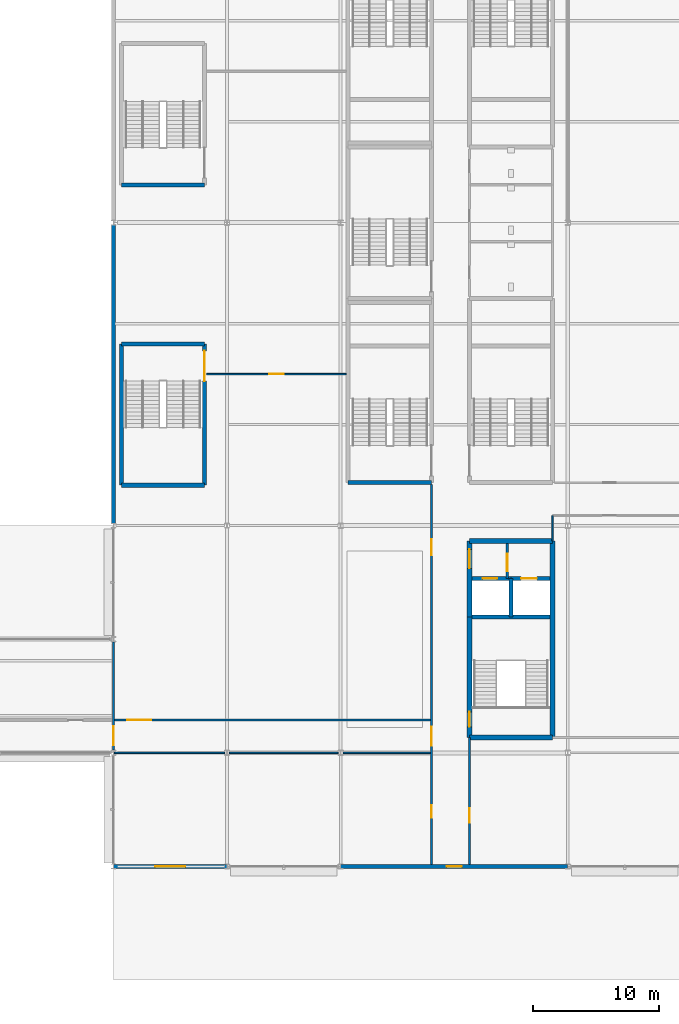
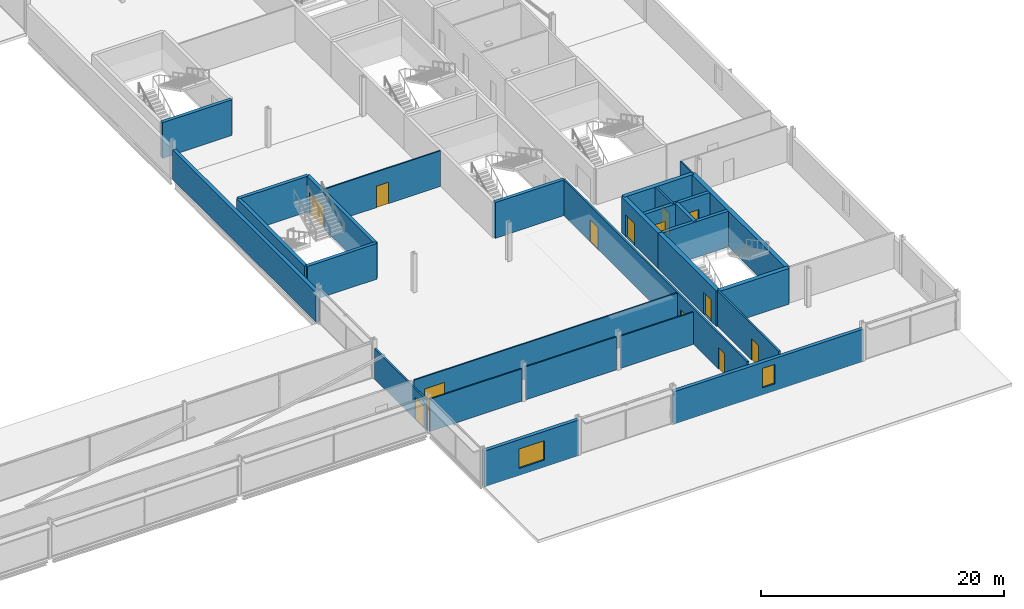
# One storey, part 68 of 105: 28 walls, 13 doors, 2 windows, 15 openings.
"""IFC4 building model written with IfcOpenShell, lengths in metres."""

import ifcopenshell
import ifcopenshell.guid

model = None  # the IFC model being written
_history = None  # IfcOwnerHistory: only IFC2X3 demands one
_inside = {}  # id of a spatial element -> (the spatial element, [elements in it])
_under = {}  # id of a project, library or spatial element -> (it, [spatial elements below it])
_declared = {}  # id of a project -> (the project, [libraries it declares])
_typed = {}  # id of a type object -> (the type object, [elements of that type])
_made_of = {}  # id of a material, layer set ... -> (it, [elements and type objects made of it])


def new_model(schema):
    """Start an empty IFC model of exactly this schema.

    Asked for "IFC4X3", IfcOpenShell would pick the latest addendum, in which some entities
    have other attributes; the version numbers below select the first issue.
    IFC2X3 requires an IfcOwnerHistory on every rooted entity: one is made here for all.
    """
    global model, _history
    if schema == "IFC4X3":
        model = ifcopenshell.file(schema_version=(4, 3, 0, 0))
    else:
        model = ifcopenshell.file(schema=schema)
    _inside.clear()
    _under.clear()
    _declared.clear()
    _typed.clear()
    _made_of.clear()
    _history = None
    if model.schema == "IFC2X3":
        org = make("IfcOrganization", Name="unknown")
        user = make(
            "IfcPersonAndOrganization",
            ThePerson=make("IfcPerson", FamilyName="unknown"),
            TheOrganization=org,
        )
        app = make(
            "IfcApplication",
            ApplicationDeveloper=org,
            Version="unknown",
            ApplicationFullName="unknown",
            ApplicationIdentifier="unknown",
        )
        _history = make(
            "IfcOwnerHistory",
            OwningUser=user,
            OwningApplication=app,
            ChangeAction="ADDED",
            CreationDate=0,
        )
    return model


def make(cls, **values):
    """One entity of the class cls with the attributes given. An attribute that is None is left unset."""
    return model.create_entity(
        cls, **{name: value for name, value in values.items() if value is not None}
    )


def rooted(cls, **values):
    """An entity with a GlobalId (a new one), such as an element, a storey or a relation."""
    return make(cls, GlobalId=ifcopenshell.guid.new(), OwnerHistory=_history, **values)


def si_unit(unit_type, name, prefix=None):
    """IfcSIUnit, for example si_unit("LENGTHUNIT", "METRE", prefix="MILLI")."""
    return make("IfcSIUnit", UnitType=unit_type, Prefix=prefix, Name=name)


def assignment(units):
    """IfcUnitAssignment: the units of a project."""
    return None if units is None else make("IfcUnitAssignment", Units=units)


def point(xyz):
    """IfcCartesianPoint."""
    return None if xyz is None else make("IfcCartesianPoint", Coordinates=xyz)


def direction(xyz):
    """IfcDirection."""
    return None if xyz is None else make("IfcDirection", DirectionRatios=xyz)


def frame(location, z_axis=None, x_axis=None):
    """IfcAxis2Placement3D, a coordinate frame: its origin and axes. An axis left out is left unset."""
    return make(
        "IfcAxis2Placement3D",
        Location=point(location),
        Axis=direction(z_axis),
        RefDirection=direction(x_axis),
    )


def frame_2d(location, x_axis=None):
    """IfcAxis2Placement2D, a coordinate frame in the plane: its origin and x axis."""
    return make(
        "IfcAxis2Placement2D", Location=point(location), RefDirection=direction(x_axis)
    )


def origin():
    """The frame at (0, 0, 0) with its axes left unset."""
    return frame((0.0, 0.0, 0.0))


def place(relative_to, where):
    """IfcLocalPlacement: puts the frame where relative to a parent placement (None: the world)."""
    return make(
        "IfcLocalPlacement", PlacementRelTo=relative_to, RelativePlacement=where
    )


def context(
    kind, dimensions, precision=None, world=None, true_north=None, identifier=None
):
    """IfcGeometricRepresentationContext, for example the 3D "Model" context."""
    return make(
        "IfcGeometricRepresentationContext",
        ContextIdentifier=identifier,
        ContextType=kind,
        CoordinateSpaceDimension=dimensions,
        Precision=precision,
        WorldCoordinateSystem=world,
        TrueNorth=true_north,
    )


def subcontext(parent, identifier, kind, view, scale=None):
    """IfcGeometricRepresentationSubContext, for example "Body" below "Model"."""
    return make(
        "IfcGeometricRepresentationSubContext",
        ContextIdentifier=identifier,
        ContextType=kind,
        ParentContext=parent,
        TargetScale=scale,
        TargetView=view,
    )


def project(units=None, contexts=None):
    """IfcProject with its units and contexts."""
    return rooted(
        "IfcProject",
        Name="project",
        RepresentationContexts=contexts,
        UnitsInContext=assignment(units),
    )


def spatial(cls, under=None, at=None, **own):
    """A site, building, storey or space (cls), placed at a placement, below another one or the project."""
    s = rooted(cls, ObjectPlacement=at, **own)
    if under is not None:
        _under.setdefault(under.id(), (under, []))[1].append(s)
    return s


def profile(cls, at=None, kind="AREA", **sizes):
    """A parametric profile (cls). Its sizes go by their IFC names, for example OverallWidth=200.0."""
    return make(cls, ProfileType=kind, Position=at, **sizes)


def rectangle(**sizes):
    """IfcRectangleProfileDef."""
    return profile("IfcRectangleProfileDef", **sizes)


def extrude(swept, where, along, depth):
    """IfcExtrudedAreaSolid: the profile swept, set in the frame where, extruded along a direction by depth."""
    return make(
        "IfcExtrudedAreaSolid",
        SweptArea=swept,
        Position=where,
        ExtrudedDirection=direction(along),
        Depth=depth,
    )


def shape(context_of_items, identifier, shape_type, items):
    """IfcShapeRepresentation: the items that make up one representation, for example the "Body"."""
    return make(
        "IfcShapeRepresentation",
        ContextOfItems=context_of_items,
        RepresentationIdentifier=identifier,
        RepresentationType=shape_type,
        Items=items,
    )


def material(Name=None, Category=None):
    """IfcMaterial."""
    return make("IfcMaterial", Name=Name, Category=Category)


def layer(
    of_material, thickness, ventilated=None, Name=None, Category=None, Priority=None
):
    """IfcMaterialLayer: one layer of a wall or slab, of a material (None: an air gap)."""
    return make(
        "IfcMaterialLayer",
        Material=of_material,
        LayerThickness=thickness,
        IsVentilated=ventilated,
        Name=Name,
        Category=Category,
        Priority=Priority,
    )


def layer_set(layers, Name=None):
    """IfcMaterialLayerSet."""
    return make("IfcMaterialLayerSet", MaterialLayers=layers, LayerSetName=Name)


def made_of(thing, what):
    """Note that an element or type object is made of a material, layer set ...; save() writes the relation."""
    if what is not None:
        _made_of.setdefault(what.id(), (what, []))[1].append(thing)
    return thing


def type_object(cls, material=None, **own):
    """A type object (cls), such as IfcWallType, which elements share."""
    return made_of(rooted(cls, **own), material)


def element(
    cls,
    number,
    at=None,
    inside=None,
    cuts=None,
    type_object=None,
    material=None,
    context=None,
    identifier="Body",
    shape_type=None,
    held_by="IfcProductDefinitionShape",
    body=None,
    shapes=None,
    **own,
):
    """One element of the class cls, such as IfcWall. Its Tag is "e" and its number.

    at: its placement. inside: the storey or other place that contains it. cuts: it is an
    opening in that element (IfcRelVoidsElement). A single representation is given by context,
    identifier, shape_type and body (its items); several are given by shapes. held_by: the class
    of the entity that holds the representations. save() writes the other relations.
    """
    e = rooted(cls, Tag="e%d" % number, ObjectPlacement=at, **own)
    if body is not None:
        shapes = [shape(context, identifier, shape_type, body)]
    if shapes is not None:
        e.Representation = make(held_by, Representations=shapes)
    if inside is not None:
        _inside.setdefault(inside.id(), (inside, []))[1].append(e)
    if cuts is not None:
        rooted(
            "IfcRelVoidsElement", RelatingBuildingElement=cuts, RelatedOpeningElement=e
        )
    if type_object is not None:
        _typed.setdefault(type_object.id(), (type_object, []))[1].append(e)
    return made_of(e, material)


def fill(opening, filler):
    """IfcRelFillsElement: the door or window that sits in an opening."""
    return rooted(
        "IfcRelFillsElement",
        RelatingOpeningElement=opening,
        RelatedBuildingElement=filler,
    )


def aggregate(whole, parts):
    """IfcRelAggregates: a whole, such as a stair, and the parts it consists of."""
    return rooted("IfcRelAggregates", RelatingObject=whole, RelatedObjects=parts)


def save(model, path):
    """Write the relations noted so far, then the file.

    IfcRelAggregates (storeys below a building ...), IfcRelContainedInSpatialStructure (elements
    in a storey), IfcRelDefinesByType, IfcRelAssociatesMaterial and IfcRelDeclares: one each for
    every whole, place, type object, material and project.
    """
    for whole, parts in _under.values():
        aggregate(whole, parts)
    for where, things in _inside.values():
        rooted(
            "IfcRelContainedInSpatialStructure",
            RelatedElements=things,
            RelatingStructure=where,
        )
    for kind, things in _typed.values():
        rooted("IfcRelDefinesByType", RelatedObjects=things, RelatingType=kind)
    for what, things in _made_of.values():
        rooted("IfcRelAssociatesMaterial", RelatedObjects=things, RelatingMaterial=what)
    for by, libraries in _declared.values():
        rooted("IfcRelDeclares", RelatingContext=by, RelatedDefinitions=libraries)
    model.write(path)


model = new_model("IFC4")

# Units and contexts
model_context = context("Model", 3, precision=1e-05, world=origin(), true_north=direction((0.0, 1.0)))
body_context = subcontext(model_context, "Body", "Model", "MODEL_VIEW")
ifc_project = project(units=[si_unit("LENGTHUNIT", "METRE"), si_unit("AREAUNIT", "SQUARE_METRE"), si_unit("VOLUMEUNIT", "CUBIC_METRE"), si_unit("PLANEANGLEUNIT", "RADIAN"), si_unit("MASSUNIT", "GRAM", prefix="KILO")], contexts=[model_context])

# Site, building, storey
site_placement = place(None, origin())
site = spatial("IfcSite", under=ifc_project, at=site_placement, CompositionType="ELEMENT")
building_placement = place(site_placement, origin())
building = spatial("IfcBuilding", under=site, at=building_placement, Name="Kisiwana Market Hall", CompositionType="ELEMENT")
storey_placement = place(building_placement, frame((0.0, 0.0, 21.60009765625)))
storey = spatial("IfcBuildingStorey", under=building, at=storey_placement, Name="L04", CompositionType="ELEMENT", Elevation=21.60009765625)

# Wall, opening, door
ifc_material_1 = material(Name="Masonry blockwork", Category="masonry")
ifc_layer_1 = layer(ifc_material_1, 0.199951171875, Name="Plastered fire compartment block wall")
ifc_layer_set_1 = layer_set([ifc_layer_1], Name="WL-COMP-200")
wall_type_1 = type_object("IfcWallType", Name="WL-COMP-200", PredefinedType="PARTITIONING", material=ifc_layer_set_1)
wall_1_placement = place(storey_placement, frame((184.199951171875, 31.820068359375, 0.0), z_axis=(0.0, 0.0, 1.0), x_axis=(0.0, 1.0, 0.0)))
wall_1 = element("IfcWall", 1, at=wall_1_placement, inside=storey, type_object=wall_type_1, Name="Core E2 firefighting lobby wall W-1640", PredefinedType="PARTITIONING", context=body_context, shape_type="SweptSolid", body=[
    extrude(rectangle(XDim=2.780029296875, YDim=0.199951171875, at=frame_2d((1.39013671875, 0.0))), origin(), (0.0, 0.0, 1.0), 3.5849609375),
])
opening_1_placement = place(wall_1_placement, frame((0.550048828125, 0.0, 0.0)))
opening_1 = element("IfcOpeningElement", 2, at=opening_1_placement, cuts=wall_1, Name="Opening DR-L04-009", PredefinedType="OPENING", context=body_context, shape_type="SweptSolid", body=[
    extrude(rectangle(XDim=1.39990234375, YDim=2.25, at=frame_2d((0.699951171875, 1.125))), frame((0.0, 0.11181640625, 0.0), z_axis=(0.0, -1.0, 0.0), x_axis=(1.0, 0.0, 0.0)), (0.0, 0.0, 1.0), 0.223876953125),
])
ifc_material_2 = material(Name="Steel S275", Category="steel")
door_type_1 = type_object("IfcDoorType", Name="DR-FFLOB-FD120-1400", OperationType="DOUBLE_DOOR_SINGLE_SWING", PredefinedType="DOOR", material=ifc_material_2)
door_1_placement = place(opening_1_placement, origin())
door_1 = element("IfcDoor", 3, at=door_1_placement, inside=storey, type_object=door_type_1, Name="Firefighting Lift Lobby E2 Door (L04)", OperationType="DOUBLE_DOOR_SINGLE_SWING", OverallHeight=2.25, OverallWidth=1.39990234375, PredefinedType="DOOR", context=body_context, shape_type="SweptSolid", body=[
    extrude(rectangle(XDim=1.39990234375, YDim=2.25, at=frame_2d((0.699951171875, 1.125))), frame((0.0, 0.02490234375, 0.0), z_axis=(0.0, -1.0, 0.0), x_axis=(1.0, 0.0, 0.0)), (0.0, 0.0, 1.0), 0.050048828125),
])
fill(opening_1, door_1)

# Walls
ifc_material_3 = material(Name="Concrete C40/50", Category="concrete")
ifc_layer_2 = layer(ifc_material_3, 0.320068359375, Name="Reinforced concrete shaft wall")
ifc_layer_set_2 = layer_set([ifc_layer_2], Name="WL-CORE-320")
wall_type_2 = type_object("IfcWallType", Name="WL-CORE-320", PredefinedType="SHEAR", material=ifc_layer_set_2)
wall_2_placement = place(storey_placement, frame((181.39990234375, 28.760009765625, 0.0), z_axis=(0.0, 0.0, 1.0), x_axis=(1.0, 0.0, 0.0)))
element("IfcWall", 4, at=wall_2_placement, inside=storey, type_object=wall_type_2, Name="Core E2 shaft back shear wall W-1537", PredefinedType="SHEAR", context=body_context, shape_type="SweptSolid", body=[
    extrude(rectangle(XDim=6.2001953125, YDim=0.320068359375, at=frame_2d((3.10009765625, 0.0))), origin(), (0.0, 0.0, 1.0), 3.5849609375),
])
wall_3_placement = place(storey_placement, frame((184.5, 28.760009765625, 0.0), z_axis=(0.0, 0.0, 1.0), x_axis=(0.0, 1.0, 0.0)))
element("IfcWall", 5, at=wall_3_placement, inside=storey, type_object=wall_type_2, Name="Core E2 inter-shaft shear wall W-1538", PredefinedType="SHEAR", context=body_context, shape_type="SweptSolid", body=[
    extrude(rectangle(XDim=3.06005859375, YDim=0.320068359375, at=frame_2d((1.530029296875, 0.0))), origin(), (0.0, 0.0, 1.0), 3.5849609375),
])

# Wall, opening, door
wall_4_placement = place(storey_placement, frame((181.39990234375, 31.820068359375, 0.0), z_axis=(0.0, 0.0, 1.0), x_axis=(1.0, 0.0, 0.0)))
wall_4 = element("IfcWall", 6, at=wall_4_placement, inside=storey, type_object=wall_type_2, Name="Core E2 west lift front wall W-1539", PredefinedType="SHEAR", context=body_context, shape_type="SweptSolid", body=[
    extrude(rectangle(XDim=3.10009765625, YDim=0.320068359375, at=frame_2d((1.550048828125, 0.0))), origin(), (0.0, 0.0, 1.0), 3.5849609375),
])
opening_2_placement = place(wall_4_placement, frame((0.85009765625, 0.0, 0.0)))
opening_2 = element("IfcOpeningElement", 7, at=opening_2_placement, cuts=wall_4, Name="Opening LD-L04-005", PredefinedType="OPENING", context=body_context, shape_type="SweptSolid", body=[
    extrude(rectangle(XDim=1.14990234375, YDim=2.199951171875, at=frame_2d((0.574951171875, 1.10009765625))), frame((0.0, 0.171875, 0.0), z_axis=(0.0, -1.0, 0.0), x_axis=(1.0, 0.0, 0.0)), (0.0, 0.0, 1.0), 0.343994140625),
])
ifc_material_4 = material(Name="Steel S275", Category="steel")
door_type_2 = type_object("IfcDoorType", Name="DR-LIFT-PAX-1150", OperationType="DOUBLE_DOOR_SLIDING", PredefinedType="DOOR", material=ifc_material_4)
door_2_placement = place(opening_2_placement, origin())
door_2 = element("IfcDoor", 8, at=door_2_placement, inside=storey, type_object=door_type_2, Name="Lift Landing Door LP-03 (L04)", OperationType="DOUBLE_DOOR_SLIDING", OverallHeight=2.199951171875, OverallWidth=1.14990234375, PredefinedType="DOOR", context=body_context, shape_type="SweptSolid", body=[
    extrude(rectangle(XDim=1.14990234375, YDim=2.199951171875, at=frame_2d((0.574951171875, 1.10009765625))), frame((0.0, 0.02490234375, 0.0), z_axis=(0.0, -1.0, 0.0), x_axis=(1.0, 0.0, 0.0)), (0.0, 0.0, 1.0), 0.050048828125),
])
fill(opening_2, door_2)

wall_5_placement = place(storey_placement, frame((184.5, 31.820068359375, 0.0), z_axis=(0.0, 0.0, 1.0), x_axis=(1.0, 0.0, 0.0)))
wall_5 = element("IfcWall", 9, at=wall_5_placement, inside=storey, type_object=wall_type_2, Name="Core E2 east lift front wall W-1540", PredefinedType="SHEAR", context=body_context, shape_type="SweptSolid", body=[
    extrude(rectangle(XDim=3.10009765625, YDim=0.320068359375, at=frame_2d((1.550048828125, 0.0))), origin(), (0.0, 0.0, 1.0), 3.5849609375),
])
opening_3_placement = place(wall_5_placement, frame((0.800048828125, 0.0, 0.0)))
opening_3 = element("IfcOpeningElement", 10, at=opening_3_placement, cuts=wall_5, Name="Opening LD-L04-006", PredefinedType="OPENING", context=body_context, shape_type="SweptSolid", body=[
    extrude(rectangle(XDim=1.25, YDim=2.25, at=frame_2d((0.625, 1.125))), frame((0.0, 0.171875, 0.0), z_axis=(0.0, -1.0, 0.0), x_axis=(1.0, 0.0, 0.0)), (0.0, 0.0, 1.0), 0.343994140625),
])
ifc_material_5 = material(Name="Steel S275", Category="steel")
door_type_3 = type_object("IfcDoorType", Name="DR-LIFT-FFL-1250", OperationType="DOUBLE_DOOR_SLIDING", PredefinedType="DOOR", material=ifc_material_5)
door_3_placement = place(opening_3_placement, origin())
door_3 = element("IfcDoor", 11, at=door_3_placement, inside=storey, type_object=door_type_3, Name="Lift Landing Door FFL-03 (L04)", OperationType="DOUBLE_DOOR_SLIDING", OverallHeight=2.25, OverallWidth=1.25, PredefinedType="DOOR", context=body_context, shape_type="SweptSolid", body=[
    extrude(rectangle(XDim=1.25, YDim=2.25, at=frame_2d((0.625, 1.125))), frame((0.0, 0.02490234375, 0.0), z_axis=(0.0, -1.0, 0.0), x_axis=(1.0, 0.0, 0.0)), (0.0, 0.0, 1.0), 0.050048828125),
])
fill(opening_3, door_3)

# Walls
wall_6_placement = place(storey_placement, frame((171.60009765625, 39.39990234375, 0.0), z_axis=(0.0, 0.0, 1.0), x_axis=(1.0, 0.0, 0.0)))
element("IfcWall", 12, at=wall_6_placement, inside=storey, type_object=wall_type_2, Name="Core E7 south shear wall W-1575", PredefinedType="SHEAR", context=body_context, shape_type="SweptSolid", body=[
    extrude(rectangle(XDim=6.599853515625, YDim=0.320068359375, at=frame_2d((3.2998046875, 0.0))), origin(), (0.0, 0.0, 1.0), 3.5849609375),
])
for number, where, z_axis, x_axis, name in (
    (13, (153.6298828125, 39.199951171875, 0.0), (0.0, 0.0, 1.0), (1.0, 0.0, 0.0), "Core E9 south shear wall W-1594"),
    (14, (153.6298828125, 50.39990234375, 0.0), (0.0, 0.0, 1.0), (1.0, 0.0, 0.0), "Core E9 north shear wall W-1595"),
):
    element("IfcWall", number, at=place(storey_placement, frame(where, z_axis=z_axis, x_axis=x_axis)), inside=storey, type_object=wall_type_2, Name=name, PredefinedType="SHEAR", context=body_context, shape_type="SweptSolid", body=[
        extrude(rectangle(XDim=6.60009765625, YDim=0.320068359375, at=frame_2d((3.300048828125, 0.0))), origin(), (0.0, 0.0, 1.0), 3.5849609375),
    ])
wall_7_placement = place(storey_placement, frame((153.6298828125, 39.199951171875, 0.0), z_axis=(0.0, 0.0, 1.0), x_axis=(0.0, 1.0, 0.0)))
element("IfcWall", 15, at=wall_7_placement, inside=storey, type_object=wall_type_2, Name="Core E9 outer shear wall W-1596", PredefinedType="SHEAR", context=body_context, shape_type="SweptSolid", body=[
    extrude(rectangle(XDim=11.199951171875, YDim=0.320068359375, at=frame_2d((5.60009765625, 0.0))), origin(), (0.0, 0.0, 1.0), 3.5849609375),
])

# Wall, opening, door
wall_8_placement = place(storey_placement, frame((160.22998046875, 39.199951171875, 0.0), z_axis=(0.0, 0.0, 1.0), x_axis=(0.0, 1.0, 0.0)))
wall_8 = element("IfcWall", 16, at=wall_8_placement, inside=storey, type_object=wall_type_2, Name="Core E9 corridor shear wall W-1597", PredefinedType="SHEAR", context=body_context, shape_type="SweptSolid", body=[
    extrude(rectangle(XDim=11.199951171875, YDim=0.320068359375, at=frame_2d((5.60009765625, 0.0))), origin(), (0.0, 0.0, 1.0), 3.5849609375),
])
opening_4_placement = place(wall_8_placement, frame((8.25, 0.0, 0.0)))
opening_4 = element("IfcOpeningElement", 17, at=opening_4_placement, cuts=wall_8, Name="Opening DR-L04-022", PredefinedType="OPENING", context=body_context, shape_type="SweptSolid", body=[
    extrude(rectangle(XDim=2.39990234375, YDim=2.25, at=frame_2d((1.199951171875, 1.125))), frame((0.0, 0.171875, 0.0), z_axis=(0.0, -1.0, 0.0), x_axis=(1.0, 0.0, 0.0)), (0.0, 0.0, 1.0), 0.343994140625),
])
ifc_material_6 = material(Name="Steel S275", Category="steel")
door_type_4 = type_object("IfcDoorType", Name="DR-STAIR-FD120-2400", OperationType="DOUBLE_DOOR_SINGLE_SWING", PredefinedType="DOOR", material=ifc_material_6)
door_4_placement = place(opening_4_placement, origin())
door_4 = element("IfcDoor", 18, at=door_4_placement, inside=storey, type_object=door_type_4, Name="Escape Stair E9 Fire Door (L04)", OperationType="DOUBLE_DOOR_SINGLE_SWING", OverallHeight=2.25, OverallWidth=2.39990234375, PredefinedType="DOOR", context=body_context, shape_type="SweptSolid", body=[
    extrude(rectangle(XDim=2.39990234375, YDim=2.25, at=frame_2d((1.199951171875, 1.125))), frame((0.0, 0.02490234375, 0.0), z_axis=(0.0, -1.0, 0.0), x_axis=(1.0, 0.0, 0.0)), (0.0, 0.0, 1.0), 0.050048828125),
])
fill(opening_4, door_4)

# Walls
wall_9_placement = place(storey_placement, frame((153.6298828125, 63.0, 0.0), z_axis=(0.0, 0.0, 1.0), x_axis=(1.0, 0.0, 0.0)))
element("IfcWall", 19, at=wall_9_placement, inside=storey, type_object=wall_type_2, Name="Core E10 south shear wall W-1602", PredefinedType="SHEAR", context=body_context, shape_type="SweptSolid", body=[
    extrude(rectangle(XDim=6.60009765625, YDim=0.320068359375, at=frame_2d((3.300048828125, 0.0))), origin(), (0.0, 0.0, 1.0), 3.5849609375),
])
ifc_material_7 = material(Name="Concrete C40/50", Category="concrete")
ifc_layer_3 = layer(ifc_material_7, 0.39990234375, Name="Reinforced concrete core wall")
ifc_layer_set_3 = layer_set([ifc_layer_3], Name="WL-CORE-400")
wall_type_3 = type_object("IfcWallType", Name="WL-CORE-400", PredefinedType="SHEAR", material=ifc_layer_set_3)
for number, where, z_axis, x_axis, name in (
    (20, (181.199951171875, 19.199951171875, 0.0), (0.0, 0.0, 1.0), (1.0, 0.0, 0.0), "Core E2 south shear wall W-1532"),
    (21, (181.199951171875, 34.800048828125, 0.0), (0.0, 0.0, 1.0), (1.0, 0.0, 0.0), "Core E2 north shear wall W-1533"),
):
    element("IfcWall", number, at=place(storey_placement, frame(where, z_axis=z_axis, x_axis=x_axis)), inside=storey, type_object=wall_type_3, Name=name, PredefinedType="SHEAR", context=body_context, shape_type="SweptSolid", body=[
        extrude(rectangle(XDim=6.60009765625, YDim=0.39990234375, at=frame_2d((3.300048828125, 0.0))), origin(), (0.0, 0.0, 1.0), 3.5849609375),
    ])
wall_10_placement = place(storey_placement, frame((187.800048828125, 19.199951171875, 0.0), z_axis=(0.0, 0.0, 1.0), x_axis=(0.0, 1.0, 0.0)))
element("IfcWall", 22, at=wall_10_placement, inside=storey, type_object=wall_type_3, Name="Core E2 outer shear wall W-1534", PredefinedType="SHEAR", context=body_context, shape_type="SweptSolid", body=[
    extrude(rectangle(XDim=15.60009765625, YDim=0.39990234375, at=frame_2d((7.800048828125, 0.0))), origin(), (0.0, 0.0, 1.0), 3.5849609375),
])

# Wall, opening, door
wall_11_placement = place(storey_placement, frame((181.199951171875, 19.199951171875, 0.0), z_axis=(0.0, 0.0, 1.0), x_axis=(0.0, 1.0, 0.0)))
wall_11 = element("IfcWall", 23, at=wall_11_placement, inside=storey, type_object=wall_type_3, Name="Core E2 stair corridor shear wall W-1535", PredefinedType="SHEAR", context=body_context, shape_type="SweptSolid", body=[
    extrude(rectangle(XDim=9.56005859375, YDim=0.39990234375, at=frame_2d((4.780029296875, 0.0))), origin(), (0.0, 0.0, 1.0), 3.5849609375),
])
opening_5_placement = place(wall_11_placement, frame((0.85009765625, 0.0, 0.0)))
opening_5 = element("IfcOpeningElement", 24, at=opening_5_placement, cuts=wall_11, Name="Opening DR-L04-007", PredefinedType="OPENING", context=body_context, shape_type="SweptSolid", body=[
    extrude(rectangle(XDim=1.199951171875, YDim=2.199951171875, at=frame_2d((0.60009765625, 1.10009765625))), frame((0.0, 0.2119140625, 0.0), z_axis=(0.0, -1.0, 0.0), x_axis=(1.0, 0.0, 0.0)), (0.0, 0.0, 1.0), 0.423828125),
])
ifc_material_8 = material(Name="Steel S275", Category="steel")
door_type_5 = type_object("IfcDoorType", Name="DR-STAIR-FD120-1200", OperationType="NOTDEFINED", PredefinedType="DOOR", material=ifc_material_8)
door_5_placement = place(opening_5_placement, frame((1.199951171875, 0.0, 0.0), z_axis=(0.0, 0.0, 1.0), x_axis=(-1.0, 0.0, 0.0)))
door_5 = element("IfcDoor", 25, at=door_5_placement, inside=storey, type_object=door_type_5, Name="Escape Stair E2 Fire Door (L04)", OperationType="SINGLE_SWING_RIGHT", OverallHeight=2.199951171875, OverallWidth=1.199951171875, PredefinedType="DOOR", context=body_context, shape_type="SweptSolid", body=[
    extrude(rectangle(XDim=1.199951171875, YDim=2.199951171875, at=frame_2d((0.60009765625, 1.10009765625))), frame((0.0, 0.02490234375, 0.0), z_axis=(0.0, -1.0, 0.0), x_axis=(1.0, 0.0, 0.0)), (0.0, 0.0, 1.0), 0.050048828125),
])
fill(opening_5, door_5)

wall_12_placement = place(storey_placement, frame((181.199951171875, 28.760009765625, 0.0), z_axis=(0.0, 0.0, 1.0), x_axis=(0.0, 1.0, 0.0)))
wall_12 = element("IfcWall", 26, at=wall_12_placement, inside=storey, type_object=wall_type_3, Name="Core E2 lobby corridor shear wall W-1536", PredefinedType="SHEAR", context=body_context, shape_type="SweptSolid", body=[
    extrude(rectangle(XDim=6.0400390625, YDim=0.39990234375, at=frame_2d((3.02001953125, 0.0))), origin(), (0.0, 0.0, 1.0), 3.5849609375),
])
opening_6_placement = place(wall_12_placement, frame((3.85009765625, 0.0, 0.0)))
opening_6 = element("IfcOpeningElement", 27, at=opening_6_placement, cuts=wall_12, Name="Opening DR-L04-008", PredefinedType="OPENING", context=body_context, shape_type="SweptSolid", body=[
    extrude(rectangle(XDim=1.5, YDim=2.199951171875, at=frame_2d((0.75, 1.10009765625))), frame((0.0, 0.2119140625, 0.0), z_axis=(0.0, -1.0, 0.0), x_axis=(1.0, 0.0, 0.0)), (0.0, 0.0, 1.0), 0.423828125),
])
ifc_material_9 = material(Name="Steel S275", Category="steel")
door_type_6 = type_object("IfcDoorType", Name="DR-CORR-FD60-1500", OperationType="DOUBLE_DOOR_SINGLE_SWING", PredefinedType="DOOR", material=ifc_material_9)
door_6_placement = place(opening_6_placement, origin())
door_6 = element("IfcDoor", 28, at=door_6_placement, inside=storey, type_object=door_type_6, Name="Passenger Lift Lobby E2 Smoke Door (L04)", OperationType="DOUBLE_DOOR_SINGLE_SWING", OverallHeight=2.199951171875, OverallWidth=1.5, PredefinedType="DOOR", context=body_context, shape_type="SweptSolid", body=[
    extrude(rectangle(XDim=1.5, YDim=2.199951171875, at=frame_2d((0.75, 1.10009765625))), frame((0.0, 0.02490234375, 0.0), z_axis=(0.0, -1.0, 0.0), x_axis=(1.0, 0.0, 0.0)), (0.0, 0.0, 1.0), 0.050048828125),
])
fill(opening_6, door_6)

ifc_material_10 = material(Name="Masonry blockwork", Category="masonry")
ifc_layer_4 = layer(ifc_material_10, 0.169921875, Name="Protected corridor partition")
ifc_layer_set_4 = layer_set([ifc_layer_4], Name="WL-CORR-170")
wall_type_4 = type_object("IfcWallType", Name="WL-CORR-170", PredefinedType="PARTITIONING", material=ifc_layer_set_4)
wall_13_placement = place(storey_placement, frame((181.199951171875, 9.14501953125, 0.0), z_axis=(0.0, 0.0, 1.0), x_axis=(0.0, 1.0, 0.0)))
wall_13 = element("IfcWall", 29, at=wall_13_placement, inside=storey, type_object=wall_type_4, Name="Interior partition W-1682", PredefinedType="PARTITIONING", context=body_context, shape_type="SweptSolid", body=[
    extrude(rectangle(XDim=10.054931640625, YDim=0.169921875, at=frame_2d((5.02734375, 0.0))), origin(), (0.0, 0.0, 1.0), 3.5849609375),
])
opening_7_placement = place(wall_13_placement, frame((3.300048828125, 0.0, 0.0)))
opening_7 = element("IfcOpeningElement", 30, at=opening_7_placement, cuts=wall_13, Name="Opening DR-L04-052", PredefinedType="OPENING", context=body_context, shape_type="SweptSolid", body=[
    extrude(rectangle(XDim=1.14990234375, YDim=2.14990234375, at=frame_2d((0.574951171875, 1.074951171875))), frame((0.0, 0.096923828125, 0.0), z_axis=(0.0, -1.0, 0.0), x_axis=(1.0, 0.0, 0.0)), (0.0, 0.0, 1.0), 0.19384765625),
])
ifc_material_11 = material(Name="Aluminium alloy 6063-T6", Category="aluminium")
door_type_7 = type_object("IfcDoorType", Name="DR-MEET-1150", OperationType="NOTDEFINED", PredefinedType="DOOR", material=ifc_material_11)
door_7_placement = place(opening_7_placement, frame((1.14990234375, 0.0, 0.0), z_axis=(0.0, 0.0, 1.0), x_axis=(-1.0, 0.0, 0.0)))
door_7 = element("IfcDoor", 31, at=door_7_placement, inside=storey, type_object=door_type_7, Name="L04 E Corner Office Suite South Door", OperationType="SINGLE_SWING_RIGHT", OverallHeight=2.14990234375, OverallWidth=1.14990234375, PredefinedType="DOOR", context=body_context, shape_type="SweptSolid", body=[
    extrude(rectangle(XDim=1.14990234375, YDim=2.14990234375, at=frame_2d((0.574951171875, 1.074951171875))), frame((0.0, 0.02490234375, 0.0), z_axis=(0.0, -1.0, 0.0), x_axis=(1.0, 0.0, 0.0)), (0.0, 0.0, 1.0), 0.050048828125),
])
fill(opening_7, door_7)

# Wall, openings, doors
wall_14_placement = place(storey_placement, frame((178.199951171875, 9.14501953125, 0.0), z_axis=(0.0, 0.0, 1.0), x_axis=(0.0, 1.0, 0.0)))
wall_14 = element("IfcWall", 32, at=wall_14_placement, inside=storey, type_object=wall_type_4, Name="Interior partition W-1694", PredefinedType="PARTITIONING", context=body_context, shape_type="SweptSolid", body=[
    extrude(rectangle(XDim=30.094970703125, YDim=0.169921875, at=frame_2d((15.04736328125, 0.0))), origin(), (0.0, 0.0, 1.0), 3.5849609375),
])
opening_8_placement = place(wall_14_placement, frame((3.715087890625, 0.0, 0.0)))
opening_8 = element("IfcOpeningElement", 33, at=opening_8_placement, cuts=wall_14, Name="Opening DR-L04-056", PredefinedType="OPENING", context=body_context, shape_type="SweptSolid", body=[
    extrude(rectangle(XDim=1.0, YDim=2.14990234375, at=frame_2d((0.5, 1.074951171875))), frame((0.0, 0.096923828125, 0.0), z_axis=(0.0, -1.0, 0.0), x_axis=(1.0, 0.0, 0.0)), (0.0, 0.0, 1.0), 0.19384765625),
])
opening_9_placement = place(wall_14_placement, frame((9.405029296875, 0.0, 0.0)))
opening_9 = element("IfcOpeningElement", 34, at=opening_9_placement, cuts=wall_14, Name="Opening DR-L04-057", PredefinedType="OPENING", context=body_context, shape_type="SweptSolid", body=[
    extrude(rectangle(XDim=1.5, YDim=2.199951171875, at=frame_2d((0.75, 1.10009765625))), frame((0.0, 0.096923828125, 0.0), z_axis=(0.0, -1.0, 0.0), x_axis=(1.0, 0.0, 0.0)), (0.0, 0.0, 1.0), 0.19384765625),
])
opening_10_placement = place(wall_14_placement, frame((24.514892578125, 0.0, 0.0)))
opening_10 = element("IfcOpeningElement", 35, at=opening_10_placement, cuts=wall_14, Name="Opening DR-L04-058", PredefinedType="OPENING", context=body_context, shape_type="SweptSolid", body=[
    extrude(rectangle(XDim=1.280029296875, YDim=2.199951171875, at=frame_2d((0.64013671875, 1.10009765625))), frame((0.0, 0.096923828125, 0.0), z_axis=(0.0, -1.0, 0.0), x_axis=(1.0, 0.0, 0.0)), (0.0, 0.0, 1.0), 0.19384765625),
])
door_8_placement = place(opening_9_placement, origin())
door_8 = element("IfcDoor", 36, at=door_8_placement, inside=storey, type_object=door_type_6, Name="L04 E South Skybridge Link Corridor Door", OperationType="DOUBLE_DOOR_SINGLE_SWING", OverallHeight=2.199951171875, OverallWidth=1.5, PredefinedType="DOOR", context=body_context, shape_type="SweptSolid", body=[
    extrude(rectangle(XDim=1.5, YDim=2.199951171875, at=frame_2d((0.75, 1.10009765625))), frame((0.0, 0.02490234375, 0.0), z_axis=(0.0, -1.0, 0.0), x_axis=(1.0, 0.0, 0.0)), (0.0, 0.0, 1.0), 0.050048828125),
])
fill(opening_9, door_8)
ifc_material_12 = material(Name="Hardwood timber", Category="wood")
door_type_8 = type_object("IfcDoorType", Name="DR-MEET-1280", OperationType="NOTDEFINED", PredefinedType="DOOR", material=ifc_material_12)
door_9_placement = place(opening_10_placement, origin())
door_9 = element("IfcDoor", 37, at=door_9_placement, inside=storey, type_object=door_type_8, Name="L04 E Meeting Room A2 Door", OperationType="SINGLE_SWING_RIGHT", OverallHeight=2.199951171875, OverallWidth=1.280029296875, PredefinedType="DOOR", context=body_context, shape_type="SweptSolid", body=[
    extrude(rectangle(XDim=1.280029296875, YDim=2.199951171875, at=frame_2d((0.64013671875, 1.10009765625))), frame((0.0, 0.02490234375, 0.0), z_axis=(0.0, -1.0, 0.0), x_axis=(1.0, 0.0, 0.0)), (0.0, 0.0, 1.0), 0.050048828125),
])
fill(opening_10, door_9)
ifc_material_13 = material(Name="Aluminium alloy 6063-T6", Category="aluminium")
door_type_9 = type_object("IfcDoorType", Name="DR-OFF-1000", OperationType="NOTDEFINED", PredefinedType="DOOR", material=ifc_material_13)
door_10_placement = place(opening_8_placement, origin())
door_10 = element("IfcDoor", 38, at=door_10_placement, inside=storey, type_object=door_type_9, Name="L04 E Commercial Office A1 Door", OperationType="SINGLE_SWING_LEFT", OverallHeight=2.14990234375, OverallWidth=1.0, PredefinedType="DOOR", context=body_context, shape_type="SweptSolid", body=[
    extrude(rectangle(XDim=1.0, YDim=2.14990234375, at=frame_2d((0.5, 1.074951171875))), frame((0.0, 0.02490234375, 0.0), z_axis=(0.0, -1.0, 0.0), x_axis=(1.0, 0.0, 0.0)), (0.0, 0.0, 1.0), 0.050048828125),
])
fill(opening_8, door_10)

# Wall, opening, door
wall_15_placement = place(storey_placement, frame((153.0, 18.219970703125, 0.0), z_axis=(0.0, 0.0, 1.0), x_axis=(0.0, 1.0, 0.0)))
wall_15 = element("IfcWall", 39, at=wall_15_placement, inside=storey, type_object=wall_type_4, Name="Interior partition W-1696", PredefinedType="PARTITIONING", context=body_context, shape_type="SweptSolid", body=[
    extrude(rectangle(XDim=8.56005859375, YDim=0.169921875, at=frame_2d((4.280029296875, 0.0))), origin(), (0.0, 0.0, 1.0), 3.0517578125),
])
opening_11_placement = place(wall_15_placement, frame((0.3798828125, 0.0, 0.0)))
opening_11 = element("IfcOpeningElement", 40, at=opening_11_placement, cuts=wall_15, Name="Opening DR-L04-063", PredefinedType="OPENING", context=body_context, shape_type="SweptSolid", body=[
    extrude(rectangle(XDim=1.5, YDim=2.199951171875, at=frame_2d((0.75, 1.10009765625))), frame((0.0, 0.096923828125, 0.0), z_axis=(0.0, -1.0, 0.0), x_axis=(1.0, 0.0, 0.0)), (0.0, 0.0, 1.0), 0.19384765625),
])
door_11_placement = place(opening_11_placement, origin())
door_11 = element("IfcDoor", 41, at=door_11_placement, inside=storey, type_object=door_type_6, Name="L04 E South Skybridge Spine Door", OperationType="DOUBLE_DOOR_SINGLE_SWING", OverallHeight=2.199951171875, OverallWidth=1.5, PredefinedType="DOOR", context=body_context, shape_type="SweptSolid", body=[
    extrude(rectangle(XDim=1.5, YDim=2.199951171875, at=frame_2d((0.75, 1.10009765625))), frame((0.0, 0.02490234375, 0.0), z_axis=(0.0, -1.0, 0.0), x_axis=(1.0, 0.0, 0.0)), (0.0, 0.0, 1.0), 0.050048828125),
])
fill(opening_11, door_11)

# Wall, opening, window
ifc_material_14 = material(Name="Concrete C40/50 precast", Category="concrete")
ifc_layer_5 = layer(ifc_material_14, 0.14990234375, Name="Precast architectural concrete spandrel")
ifc_material_15 = material(Name="Mineral wool insulation")
ifc_layer_6 = layer(ifc_material_15, 0.090087890625, Name="Rockwool thermal insulation")
ifc_material_16 = material(Name="Masonry blockwork", Category="masonry")
ifc_layer_7 = layer(ifc_material_16, 0.10009765625, Name="Inner masonry block leaf")
ifc_layer_set_5 = layer_set([ifc_layer_5, ifc_layer_6, ifc_layer_7], Name="WL-EXT-PREC-340")
wall_type_5 = type_object("IfcWallType", Name="WL-EXT-PREC-340", PredefinedType="STANDARD", material=ifc_layer_set_5)
wall_16_placement = place(storey_placement, frame((153.010009765625, 9.0, 0.0), z_axis=(0.0, 0.0, 1.0), x_axis=(1.0, 0.0, 0.0)))
wall_16 = element("IfcWall", 42, at=wall_16_placement, inside=storey, type_object=wall_type_5, Name="Exterior wall W-1617", PredefinedType="STANDARD", context=body_context, shape_type="SweptSolid", body=[
    extrude(rectangle(XDim=8.97998046875, YDim=0.340087890625, at=frame_2d((4.489990234375, 0.0))), origin(), (0.0, 0.0, 1.0), 3.5849609375),
])
opening_12_placement = place(wall_16_placement, frame((3.2900390625, 0.0, 0.699951171875)))
opening_12 = element("IfcOpeningElement", 43, at=opening_12_placement, cuts=wall_16, Name="Opening WN-27", PredefinedType="OPENING", context=body_context, shape_type="SweptSolid", body=[
    extrude(rectangle(XDim=2.39990234375, YDim=1.949951171875, at=frame_2d((1.199951171875, 0.97509765625))), frame((0.0, 0.18212890625, 0.0), z_axis=(0.0, -1.0, 0.0), x_axis=(1.0, 0.0, 0.0)), (0.0, 0.0, 1.0), 0.364013671875),
])
ifc_material_17 = material(Name="Double-glazed solar-control low-E IGU", Category="glass")
window_type_1 = type_object("IfcWindowType", Name="WN-OFFA-2400x1950", PartitioningType="SINGLE_PANEL", PredefinedType="WINDOW", material=ifc_material_17)
window_1_placement = place(opening_12_placement, origin())
window_1 = element("IfcWindow", 44, at=window_1_placement, inside=storey, type_object=window_type_1, Name="Exterior window WN-161", OverallHeight=1.949951171875, OverallWidth=2.39990234375, PartitioningType="SINGLE_PANEL", PredefinedType="WINDOW", context=body_context, shape_type="SweptSolid", body=[
    extrude(rectangle(XDim=2.39990234375, YDim=1.949951171875, at=frame_2d((1.199951171875, 0.97509765625))), frame((0.0, 0.030029296875, 0.0), z_axis=(0.0, -1.0, 0.0), x_axis=(1.0, 0.0, 0.0)), (0.0, 0.0, 1.0), 0.06005859375),
])
fill(opening_12, window_1)

wall_17_placement = place(storey_placement, frame((171.010009765625, 9.0, 0.0), z_axis=(0.0, 0.0, 1.0), x_axis=(1.0, 0.0, 0.0)))
wall_17 = element("IfcWall", 45, at=wall_17_placement, inside=storey, type_object=wall_type_5, Name="Exterior wall W-1618", PredefinedType="STANDARD", context=body_context, shape_type="SweptSolid", body=[
    extrude(rectangle(XDim=17.97998046875, YDim=0.340087890625, at=frame_2d((8.989990234375, 0.0))), origin(), (0.0, 0.0, 1.0), 3.2451171875),
])
opening_13_placement = place(wall_17_placement, frame((8.389892578125, 0.0, 0.699951171875)))
opening_13 = element("IfcOpeningElement", 46, at=opening_13_placement, cuts=wall_17, Name="Opening WN-15", PredefinedType="OPENING", context=body_context, shape_type="SweptSolid", body=[
    extrude(rectangle(XDim=1.199951171875, YDim=1.949951171875, at=frame_2d((0.60009765625, 0.97509765625))), frame((0.0, 0.18212890625, 0.0), z_axis=(0.0, -1.0, 0.0), x_axis=(1.0, 0.0, 0.0)), (0.0, 0.0, 1.0), 0.364013671875),
])
ifc_material_18 = material(Name="Double-glazed solar-control low-E IGU", Category="glass")
window_type_2 = type_object("IfcWindowType", Name="WN-OFFA-1200x1950", PartitioningType="SINGLE_PANEL", PredefinedType="WINDOW", material=ifc_material_18)
window_2_placement = place(opening_13_placement, origin())
window_2 = element("IfcWindow", 47, at=window_2_placement, inside=storey, type_object=window_type_2, Name="Exterior window WN-144", OverallHeight=1.949951171875, OverallWidth=1.199951171875, PartitioningType="SINGLE_PANEL", PredefinedType="WINDOW", context=body_context, shape_type="SweptSolid", body=[
    extrude(rectangle(XDim=1.199951171875, YDim=1.949951171875, at=frame_2d((0.60009765625, 0.97509765625))), frame((0.0, 0.030029296875, 0.0), z_axis=(0.0, -1.0, 0.0), x_axis=(1.0, 0.0, 0.0)), (0.0, 0.0, 1.0), 0.06005859375),
])
fill(opening_13, window_2)

# Walls
wall_18_placement = place(storey_placement, frame((153.0, 36.18212890625, 0.0), z_axis=(0.0, 0.0, 1.0), x_axis=(0.0, 1.0, 0.0)))
element("IfcWall", 48, at=wall_18_placement, inside=storey, type_object=wall_type_5, Name="Exterior wall W-1631", PredefinedType="STANDARD", context=body_context, shape_type="SweptSolid", body=[
    extrude(rectangle(XDim=23.6357421875, YDim=0.340087890625, at=frame_2d((11.81787109375, 0.0))), origin(), (0.0, 0.0, 1.0), 2.97265625),
])
ifc_material_19 = material(Name="Gypsum plasterboard")
ifc_layer_8 = layer(ifc_material_19, 0.125, Name="Double gypsum board + acoustic stud")
ifc_layer_set_6 = layer_set([ifc_layer_8], Name="WL-OFF-125")
wall_type_6 = type_object("IfcWallType", Name="WL-OFF-125", PredefinedType="PARTITIONING", material=ifc_layer_set_6)
wall_19_placement = place(storey_placement, frame((153.0849609375, 18.0, 0.0), z_axis=(0.0, 0.0, 1.0), x_axis=(1.0, 0.0, 0.0)))
element("IfcWall", 49, at=wall_19_placement, inside=storey, type_object=wall_type_6, Name="Interior partition W-1684", PredefinedType="PARTITIONING", context=body_context, shape_type="SweptSolid", body=[
    extrude(rectangle(XDim=8.73095703125, YDim=0.125, at=frame_2d((4.365478515625, 0.0))), origin(), (0.0, 0.0, 1.0), 3.2548828125),
])
wall_20_placement = place(storey_placement, frame((162.18408203125, 18.0, 0.0), z_axis=(0.0, 0.0, 1.0), x_axis=(1.0, 0.0, 0.0)))
element("IfcWall", 50, at=wall_20_placement, inside=storey, type_object=wall_type_6, Name="Interior partition W-1685", PredefinedType="PARTITIONING", context=body_context, shape_type="SweptSolid", body=[
    extrude(rectangle(XDim=8.62548828125, YDim=0.125, at=frame_2d((4.312744140625, 0.0))), origin(), (0.0, 0.0, 1.0), 3.31494140625),
])
wall_21_placement = place(storey_placement, frame((171.1904296875, 18.0, 0.0), z_axis=(0.0, 0.0, 1.0), x_axis=(1.0, 0.0, 0.0)))
element("IfcWall", 51, at=wall_21_placement, inside=storey, type_object=wall_type_6, Name="Interior partition W-1686", PredefinedType="PARTITIONING", context=body_context, shape_type="SweptSolid", body=[
    extrude(rectangle(XDim=6.924560546875, YDim=0.125, at=frame_2d((3.46240234375, 0.0))), origin(), (0.0, 0.0, 1.0), 3.2451171875),
])

# Wall, opening, door
wall_22_placement = place(storey_placement, frame((153.0849609375, 20.60009765625, 0.0), z_axis=(0.0, 0.0, 1.0), x_axis=(1.0, 0.0, 0.0)))
wall_22 = element("IfcWall", 52, at=wall_22_placement, inside=storey, type_object=wall_type_6, Name="Interior partition W-1687", PredefinedType="PARTITIONING", context=body_context, shape_type="SweptSolid", body=[
    extrude(rectangle(XDim=25.030029296875, YDim=0.125, at=frame_2d((12.51513671875, 0.0))), origin(), (0.0, 0.0, 1.0), 3.5849609375),
])
opening_14_placement = place(wall_22_placement, frame((0.9951171875, 0.0, 0.0)))
opening_14 = element("IfcOpeningElement", 53, at=opening_14_placement, cuts=wall_22, Name="Opening DR-L04-054", PredefinedType="OPENING", context=body_context, shape_type="SweptSolid", body=[
    extrude(rectangle(XDim=1.89990234375, YDim=2.35009765625, at=frame_2d((0.949951171875, 1.175048828125))), frame((0.0, 0.074462890625, 0.0), z_axis=(0.0, -1.0, 0.0), x_axis=(1.0, 0.0, 0.0)), (0.0, 0.0, 1.0), 0.14892578125),
])
ifc_material_20 = material(Name="Steel S275", Category="steel")
door_type_10 = type_object("IfcDoorType", Name="DR-HALL-1900", OperationType="DOUBLE_DOOR_SINGLE_SWING", PredefinedType="DOOR", material=ifc_material_20)
door_12_placement = place(opening_14_placement, origin())
door_12 = element("IfcDoor", 54, at=door_12_placement, inside=storey, type_object=door_type_10, Name="L04 E Meeting Room A2 Exit Door", OperationType="DOUBLE_DOOR_SINGLE_SWING", OverallHeight=2.35009765625, OverallWidth=1.89990234375, PredefinedType="DOOR", context=body_context, shape_type="SweptSolid", body=[
    extrude(rectangle(XDim=1.89990234375, YDim=2.35009765625, at=frame_2d((0.949951171875, 1.175048828125))), frame((0.0, 0.02490234375, 0.0), z_axis=(0.0, -1.0, 0.0), x_axis=(1.0, 0.0, 0.0)), (0.0, 0.0, 1.0), 0.050048828125),
])
fill(opening_14, door_12)

wall_23_placement = place(storey_placement, frame((160.389892578125, 48.0, 0.0), z_axis=(0.0, 0.0, 1.0), x_axis=(1.0, 0.0, 0.0)))
wall_23 = element("IfcWall", 55, at=wall_23_placement, inside=storey, type_object=wall_type_6, Name="Interior partition W-1688", PredefinedType="PARTITIONING", context=body_context, shape_type="SweptSolid", body=[
    extrude(rectangle(XDim=11.050048828125, YDim=0.125, at=frame_2d((5.52490234375, 0.0))), origin(), (0.0, 0.0, 1.0), 3.5849609375),
])
opening_15_placement = place(wall_23_placement, frame((4.949951171875, 0.0, 0.0)))
opening_15 = element("IfcOpeningElement", 56, at=opening_15_placement, cuts=wall_23, Name="Opening DR-L04-055", PredefinedType="OPENING", context=body_context, shape_type="SweptSolid", body=[
    extrude(rectangle(XDim=1.14990234375, YDim=2.14990234375, at=frame_2d((0.574951171875, 1.074951171875))), frame((0.0, 0.074462890625, 0.0), z_axis=(0.0, -1.0, 0.0), x_axis=(1.0, 0.0, 0.0)), (0.0, 0.0, 1.0), 0.14892578125),
])
door_13_placement = place(opening_15_placement, origin())
door_13 = element("IfcDoor", 57, at=door_13_placement, inside=storey, type_object=door_type_7, Name="L04 E Open-Plan Office A3 Door", OperationType="SINGLE_SWING_RIGHT", OverallHeight=2.14990234375, OverallWidth=1.14990234375, PredefinedType="DOOR", context=body_context, shape_type="SweptSolid", body=[
    extrude(rectangle(XDim=1.14990234375, YDim=2.14990234375, at=frame_2d((0.574951171875, 1.074951171875))), frame((0.0, 0.02490234375, 0.0), z_axis=(0.0, -1.0, 0.0), x_axis=(1.0, 0.0, 0.0)), (0.0, 0.0, 1.0), 0.050048828125),
])
fill(opening_15, door_13)

# Wall
ifc_material_21 = material(Name="Masonry blockwork", Category="masonry")
ifc_layer_9 = layer(ifc_material_21, 0.110107421875)
ifc_layer_set_7 = layer_set([ifc_layer_9], Name="WL-PART-110")
wall_type_7 = type_object("IfcWallType", Name="WL-PART-110", PredefinedType="PARTITIONING", material=ifc_layer_set_7)
wall_24_placement = place(storey_placement, frame((187.800048828125, 34.800048828125, 0.0), z_axis=(0.0, 0.0, 1.0), x_axis=(0.0, 1.0, 0.0)))
element("IfcWall", 58, at=wall_24_placement, inside=storey, type_object=wall_type_7, Name="Interior partition W-1674", PredefinedType="PARTITIONING", context=body_context, shape_type="SweptSolid", body=[
    extrude(rectangle(XDim=2.0, YDim=0.110107421875, at=frame_2d((1.0, 0.0))), origin(), (0.0, 0.0, 1.0), 3.5849609375),
])

save(model, "model.ifc")
